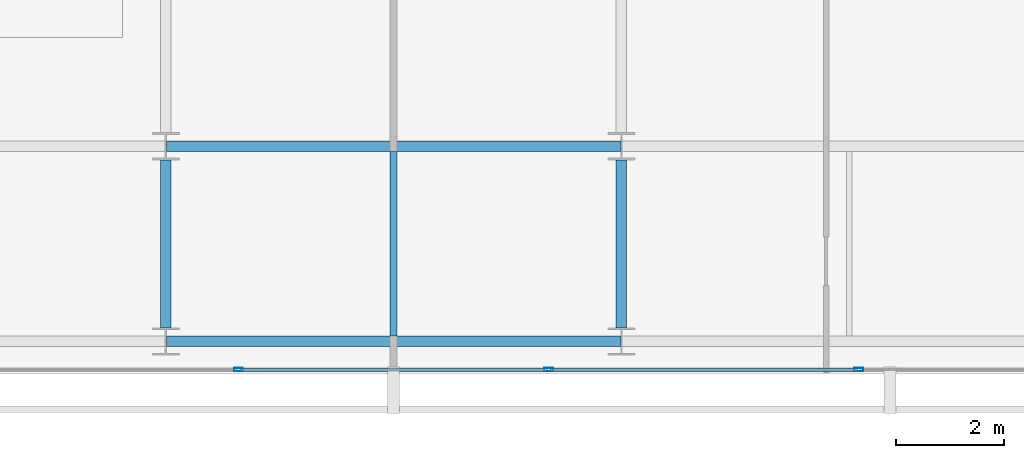
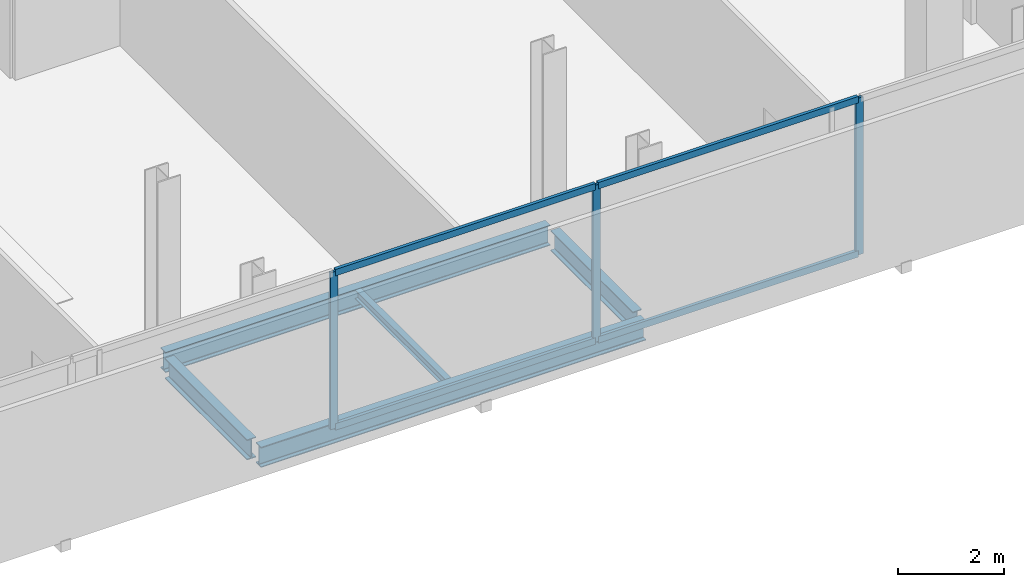
# One storey, part 5 of 23: 7 members, 5 beams, 1 element without a shape of its own.
"""IFC4 building model written with IfcOpenShell, lengths in metres."""

from ifc_helpers import new_model, si_unit, direction, frame, origin, origin_2d, place, context, subcontext, project, spatial, hollow_rectangle, i_section, extrude, material, layer, layer_set, material_profile, profile_set, type_object, element, aggregate, save


model = new_model("IFC4")

# Units and contexts
model_context = context("Model", 3, precision=1e-05, world=origin(), true_north=direction((0.0, 1.0)))
body_context = subcontext(model_context, "Body", "Model", "MODEL_VIEW")
ifc_project = project(units=[si_unit("LENGTHUNIT", "METRE"), si_unit("AREAUNIT", "SQUARE_METRE"), si_unit("VOLUMEUNIT", "CUBIC_METRE"), si_unit("PLANEANGLEUNIT", "RADIAN"), si_unit("MASSUNIT", "GRAM", prefix="KILO")], contexts=[model_context])

# Site, building, storey
site_placement = place(None, origin())
site = spatial("IfcSite", under=ifc_project, at=site_placement, CompositionType="ELEMENT")
building_placement = place(site_placement, origin())
building = spatial("IfcBuilding", under=site, at=building_placement, Name="Maruvema Waterfront Hotel and Observation Tower", CompositionType="ELEMENT")
storey_placement = place(building_placement, frame((0.0, 0.0, 341.25)))
storey = spatial("IfcBuildingStorey", under=building, at=storey_placement, Name="L84", CompositionType="ELEMENT", Elevation=341.25)

# Curtain wall, members
ifc_material_1 = material(Name="Anodised bronze aluminium and solar-control low-E IGU", Category="aluminium")
ifc_layer = layer(ifc_material_1, 0.159912109375, Name="Zone 4 Sky Residence Inner Curtain Wall System CW-05")
ifc_layer_set = layer_set([ifc_layer], Name="Anodised bronze aluminium and solar-control low-E IGU")
curtain_wall_type = type_object("IfcCurtainWallType", Name="Zone 4 Sky Residence Inner Curtain Wall System CW-05", PredefinedType="USERDEFINED", material=ifc_layer_set)
curtain_wall_placement = place(storey_placement, origin())
curtain_wall = element("IfcCurtainWall", 1, at=curtain_wall_placement, inside=storey, type_object=curtain_wall_type, Name="L84 Curtain Wall CW-L84-S", ObjectType="UNITISED CURTAIN WALL", PredefinedType="USERDEFINED")
ifc_material_2 = material(Name="Anodised architectural bronze aluminium", Category="aluminium")
ifc_material_profile_1 = material_profile(ifc_material_2, hollow_rectangle(XDim=0.070068359375, YDim=0.14990234375, WallThickness=0.00390625, at=origin_2d()), Name="ALU-T70x150")
ifc_profile_set_1 = profile_set([ifc_material_profile_1], Name="Anodised architectural bronze aluminium")
member_type_1 = type_object("IfcMemberType", Name="Curtain Wall Horizontal Transom ALU-T70x150", PredefinedType="USERDEFINED", material=ifc_profile_set_1)
member_1_placement = place(storey_placement, frame((34.969970703125, 13.8798828125, 0.030029296875), z_axis=(1.0, 0.0, 0.0), x_axis=(0.0, 1.0, 0.0)))
member_1 = element("IfcMember", 2, at=member_1_placement, type_object=member_type_1, Name="CW-05 transom 3.1", ObjectType="TRANSOM", PredefinedType="USERDEFINED", context=body_context, shape_type="SweptSolid", body=[
    extrude(hollow_rectangle(XDim=0.070068359375, YDim=0.14990234375, WallThickness=0.00390625, at=origin_2d()), origin(), (0.0, 0.0, 1.0), 5.659912109375),
])
member_2_placement = place(storey_placement, frame((34.969970703125, 13.8798828125, 3.580078125), z_axis=(1.0, 0.0, 0.0), x_axis=(0.0, 1.0, 0.0)))
member_2 = element("IfcMember", 3, at=member_2_placement, type_object=member_type_1, Name="CW-05 transom 3.2", ObjectType="TRANSOM", PredefinedType="USERDEFINED", context=body_context, shape_type="SweptSolid", body=[
    extrude(hollow_rectangle(XDim=0.070068359375, YDim=0.14990234375, WallThickness=0.00390625, at=origin_2d()), origin(), (0.0, 0.0, 1.0), 5.659912109375),
])
member_3_placement = place(storey_placement, frame((40.68994140625, 13.8798828125, 0.030029296875), z_axis=(1.0, 0.0, 0.0), x_axis=(0.0, 1.0, 0.0)))
member_3 = element("IfcMember", 4, at=member_3_placement, type_object=member_type_1, Name="CW-05 transom 4.1", ObjectType="TRANSOM", PredefinedType="USERDEFINED", context=body_context, shape_type="SweptSolid", body=[
    extrude(hollow_rectangle(XDim=0.070068359375, YDim=0.14990234375, WallThickness=0.00390625, at=origin_2d()), origin(), (0.0, 0.0, 1.0), 5.66015625),
])
member_4_placement = place(storey_placement, frame((40.68994140625, 13.8798828125, 3.580078125), z_axis=(1.0, 0.0, 0.0), x_axis=(0.0, 1.0, 0.0)))
member_4 = element("IfcMember", 5, at=member_4_placement, type_object=member_type_1, Name="CW-05 transom 4.2", ObjectType="TRANSOM", PredefinedType="USERDEFINED", context=body_context, shape_type="SweptSolid", body=[
    extrude(hollow_rectangle(XDim=0.070068359375, YDim=0.14990234375, WallThickness=0.00390625, at=origin_2d()), origin(), (0.0, 0.0, 1.0), 5.66015625),
])
ifc_material_3 = material(Name="Anodised architectural bronze aluminium", Category="aluminium")
ifc_material_profile_2 = material_profile(ifc_material_3, hollow_rectangle(XDim=0.06494140625, YDim=0.1650390625, WallThickness=0.00390625, at=origin_2d()), Name="ALU-M65x165")
ifc_profile_set_2 = profile_set([ifc_material_profile_2], Name="Anodised architectural bronze aluminium")
member_type_2 = type_object("IfcMemberType", Name="Curtain Wall Primary Mullion ALU-M65x165", PredefinedType="MULLION", material=ifc_profile_set_2)
member_5_placement = place(storey_placement, frame((34.93994140625, 13.8798828125, 0.0), z_axis=(0.0, 0.0, 1.0), x_axis=(0.0, 1.0, 0.0)))
member_5 = element("IfcMember", 6, at=member_5_placement, type_object=member_type_2, Name="CW-05 mullion 3", PredefinedType="MULLION", context=body_context, shape_type="SweptSolid", body=[
    extrude(hollow_rectangle(XDim=0.06494140625, YDim=0.1650390625, WallThickness=0.00390625, at=origin_2d()), origin(), (0.0, 0.0, 1.0), 3.610107421875),
])
member_6_placement = place(storey_placement, frame((40.659912109375, 13.8798828125, 0.0), z_axis=(0.0, 0.0, 1.0), x_axis=(0.0, 1.0, 0.0)))
member_6 = element("IfcMember", 7, at=member_6_placement, type_object=member_type_2, Name="CW-05 mullion 4", PredefinedType="MULLION", context=body_context, shape_type="SweptSolid", body=[
    extrude(hollow_rectangle(XDim=0.06494140625, YDim=0.1650390625, WallThickness=0.00390625, at=origin_2d()), origin(), (0.0, 0.0, 1.0), 3.610107421875),
])
member_7_placement = place(storey_placement, frame((46.3798828125, 13.8798828125, 0.0), z_axis=(0.0, 0.0, 1.0), x_axis=(0.0, 1.0, 0.0)))
member_7 = element("IfcMember", 8, at=member_7_placement, type_object=member_type_2, Name="CW-05 mullion 5", PredefinedType="MULLION", context=body_context, shape_type="SweptSolid", body=[
    extrude(hollow_rectangle(XDim=0.06494140625, YDim=0.1650390625, WallThickness=0.00390625, at=origin_2d()), origin(), (0.0, 0.0, 1.0), 3.610107421875),
])
aggregate(curtain_wall, [member_5, member_6, member_7, member_1, member_2, member_3, member_4])

# Beams
ifc_material_4 = material(Name="Steel ASTM A572 Grade 50", Category="steel")
ifc_material_profile_3 = material_profile(ifc_material_4, i_section(OverallWidth=0.194091796875, OverallDepth=0.468994140625, WebThickness=0.0126953125, FlangeThickness=0.0205078125, FilletRadius=0.014892578125, at=origin_2d()), Name="W460x106.0")
ifc_profile_set_3 = profile_set([ifc_material_profile_3], Name="Steel ASTM A572 Grade 50")
beam_type_1 = type_object("IfcBeamType", Name="Primary Floor Girder W460x106.0", PredefinedType="BEAM", material=ifc_profile_set_3)
for number, where, z_axis, x_axis, name in (
    (9, (33.611083984375, 14.39990234375, -0.474609375), (1.0, 0.0, 0.0), (0.0, 1.0, 0.0), "L84 Floor Girder EW-02"),
    (10, (33.611083984375, 18.0, -0.474609375), (1.0, 0.0, 0.0), (0.0, 1.0, 0.0), "L84 Floor Girder EW-05"),
):
    element("IfcBeam", number, at=place(storey_placement, frame(where, z_axis=z_axis, x_axis=x_axis)), inside=storey, type_object=beam_type_1, Name=name, PredefinedType="BEAM", context=body_context, shape_type="SweptSolid", body=[
        extrude(i_section(OverallWidth=0.194091796875, OverallDepth=0.468994140625, WebThickness=0.0126953125, FlangeThickness=0.0205078125, FilletRadius=0.014892578125, at=origin_2d()), origin(), (0.0, 0.0, 1.0), 8.3779296875),
    ])
for number, where, z_axis, x_axis, name in (
    (11, (33.60009765625, 14.64990234375, -0.474609375), (0.0, 1.0, 0.0), (-1.0, 0.0, 0.0), "L84 Floor Girder NS-07"),
    (12, (42.0, 14.64990234375, -0.474609375), (0.0, 1.0, 0.0), (-1.0, 0.0, 0.0), "L84 Floor Girder NS-09"),
):
    element("IfcBeam", number, at=place(storey_placement, frame(where, z_axis=z_axis, x_axis=x_axis)), inside=storey, type_object=beam_type_1, Name=name, PredefinedType="BEAM", context=body_context, shape_type="SweptSolid", body=[
        extrude(i_section(OverallWidth=0.194091796875, OverallDepth=0.468994140625, WebThickness=0.0126953125, FlangeThickness=0.0205078125, FilletRadius=0.014892578125, at=origin_2d()), origin(), (0.0, 0.0, 1.0), 3.10009765625),
    ])
ifc_material_5 = material(Name="Steel ASTM A572 Grade 50", Category="steel")
ifc_material_profile_4 = material_profile(ifc_material_5, i_section(OverallWidth=0.133056640625, OverallDepth=0.20703125, WebThickness=0.005859375, FlangeThickness=0.00830078125, FilletRadius=0.010009765625, at=origin_2d()), Name="W200x26.6")
ifc_profile_set_4 = profile_set([ifc_material_profile_4], Name="Steel ASTM A572 Grade 50")
beam_type_2 = type_object("IfcBeamType", Name="Secondary Floor Joist W200x26.6", PredefinedType="JOIST", material=ifc_profile_set_4)
beam_placement = place(storey_placement, frame((37.800048828125, 14.4970703125, -0.343505859375), z_axis=(0.0, 1.0, 0.0), x_axis=(-1.0, 0.0, 0.0)))
element("IfcBeam", 13, at=beam_placement, inside=storey, type_object=beam_type_2, Name="L84 Secondary Floor Joist JS-04", PredefinedType="JOIST", context=body_context, shape_type="SweptSolid", body=[
    extrude(i_section(OverallWidth=0.133056640625, OverallDepth=0.20703125, WebThickness=0.005859375, FlangeThickness=0.00830078125, FilletRadius=0.010009765625, at=origin_2d()), origin(), (0.0, 0.0, 1.0), 3.406005859375),
])

save(model, "model.ifc")
